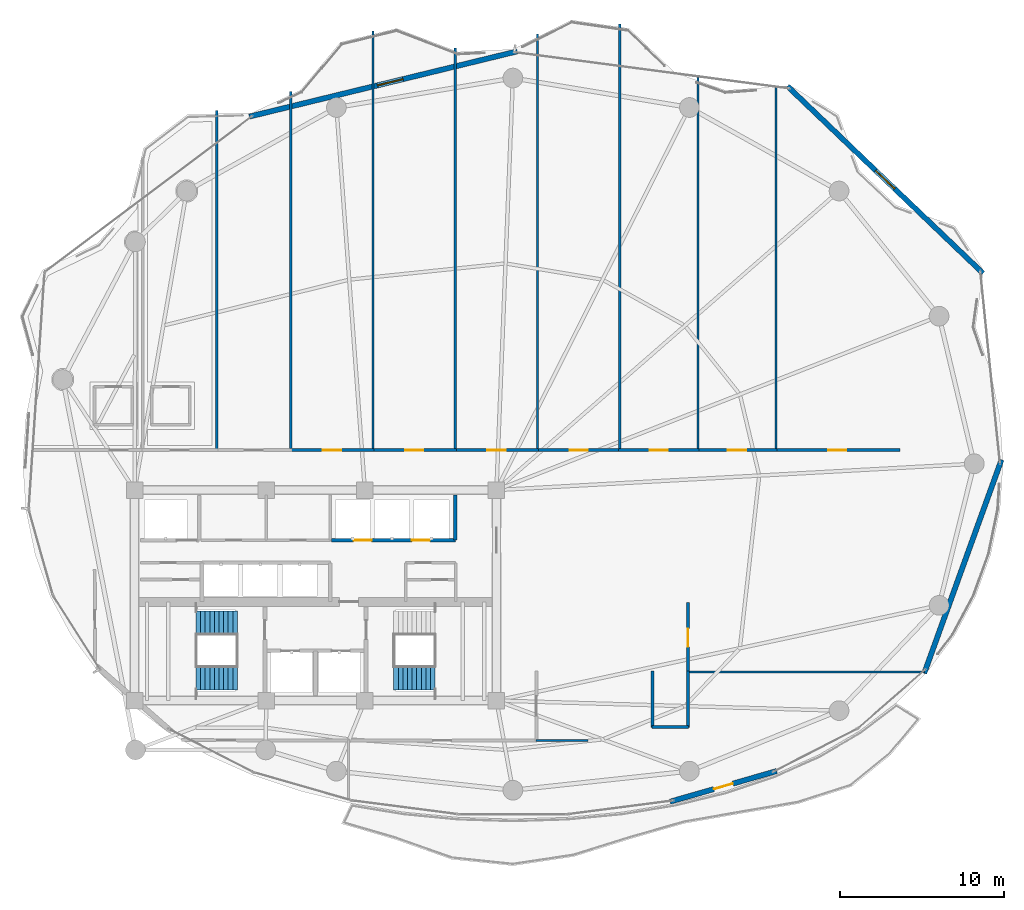
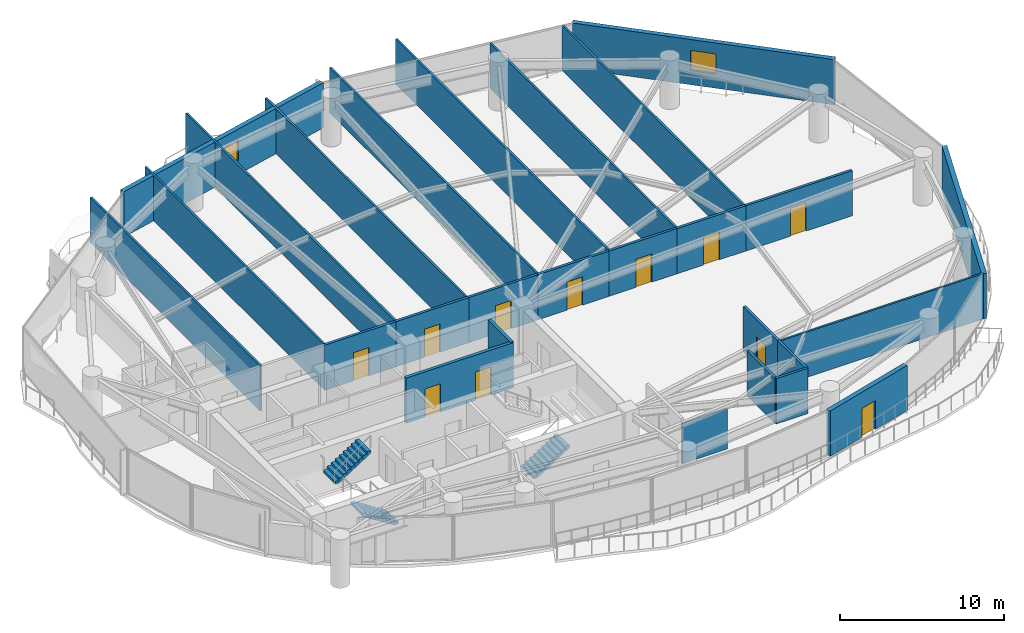
# One storey, part 26 of 30: 27 walls, 11 doors, 3 stair flights, 2 windows, 13 openings, 2 elements without a shape of their own.
"""IFC4 building model written with IfcOpenShell, lengths in metres."""

from ifc_helpers import new_model, si_unit, direction, frame, frame_2d, origin, place, context, subcontext, project, spatial, polyline, rectangle, outline, extrude, material, layer, layer_set, type_object, element, fill, aggregate, save


model = new_model("IFC4")

# Units and contexts
model_context = context("Model", 3, precision=1e-05, world=origin(), true_north=direction((0.0, 1.0)))
body_context = subcontext(model_context, "Body", "Model", "MODEL_VIEW")
ifc_project = project(units=[si_unit("LENGTHUNIT", "METRE"), si_unit("AREAUNIT", "SQUARE_METRE"), si_unit("VOLUMEUNIT", "CUBIC_METRE"), si_unit("PLANEANGLEUNIT", "RADIAN"), si_unit("MASSUNIT", "GRAM", prefix="KILO")], contexts=[model_context])

# Site, building, storey
site_placement = place(None, origin())
site = spatial("IfcSite", under=ifc_project, at=site_placement, CompositionType="ELEMENT")
building_placement = place(site_placement, origin())
building = spatial("IfcBuilding", under=site, at=building_placement, Name="Kazevale Care Tower and Concert Hall", CompositionType="ELEMENT")
storey_placement = place(building_placement, frame((0.0, 0.0, 131.39990234375)))
storey = spatial("IfcBuildingStorey", under=building, at=storey_placement, Name="L34", CompositionType="ELEMENT", Elevation=131.39990234375)

# Walls
ifc_material_1 = material(Name="Acoustic Gypsum on Steel Stud", Category="steel")
ifc_layer_1 = layer(ifc_material_1, 0.139892578125)
ifc_layer_set_1 = layer_set([ifc_layer_1], Name="Acoustic Gypsum on Steel Stud")
wall_type_1 = type_object("IfcWallType", Name="Acoustic Care & Suite Partition 140", PredefinedType="PARTITIONING", material=ifc_layer_set_1)
wall_1_placement = place(storey_placement, frame((27.0, 59.47705078125, 0.0), z_axis=(0.0, 0.0, 1.0), x_axis=(0.0, -1.0, 0.0)))
element("IfcWall", 1, at=wall_1_placement, inside=storey, type_object=wall_type_1, Name="wall:L34:auto_020", PredefinedType="PARTITIONING", context=body_context, shape_type="SweptSolid", body=[
    extrude(rectangle(XDim=20.68212890625, YDim=0.139892578125, at=frame_2d((10.341064453125, 0.0))), origin(), (0.0, 0.0, 1.0), 3.360107421875),
])
wall_2_placement = place(storey_placement, frame((31.5, 60.618896484375, 0.0), z_axis=(0.0, 0.0, 1.0), x_axis=(0.0, -1.0, 0.0)))
element("IfcWall", 2, at=wall_2_placement, inside=storey, type_object=wall_type_1, Name="wall:L34:auto_021", PredefinedType="PARTITIONING", context=body_context, shape_type="SweptSolid", body=[
    extrude(rectangle(XDim=21.823974609375, YDim=0.139892578125, at=frame_2d((10.912109375, 0.0))), origin(), (0.0, 0.0, 1.0), 3.360107421875),
])
wall_3_placement = place(storey_placement, frame((36.5, 64.31005859375, 0.0), z_axis=(0.0, 0.0, 1.0), x_axis=(0.0, -1.0, 0.0)))
element("IfcWall", 3, at=wall_3_placement, inside=storey, type_object=wall_type_1, Name="wall:L34:auto_022", PredefinedType="PARTITIONING", context=body_context, shape_type="SweptSolid", body=[
    extrude(rectangle(XDim=25.51513671875, YDim=0.139892578125, at=frame_2d((12.757568359375, 0.0))), origin(), (0.0, 0.0, 1.0), 3.360107421875),
])
wall_4_placement = place(storey_placement, frame((41.5, 63.291015625, 0.0), z_axis=(0.0, 0.0, 1.0), x_axis=(0.0, -1.0, 0.0)))
element("IfcWall", 4, at=wall_4_placement, inside=storey, type_object=wall_type_1, Name="wall:L34:auto_023", PredefinedType="PARTITIONING", context=body_context, shape_type="SweptSolid", body=[
    extrude(rectangle(XDim=24.49609375, YDim=0.139892578125, at=frame_2d((12.248046875, 0.0))), origin(), (0.0, 0.0, 1.0), 3.360107421875),
])
wall_5_placement = place(storey_placement, frame((46.5, 64.12890625, 0.0), z_axis=(0.0, 0.0, 1.0), x_axis=(0.0, -1.0, 0.0)))
element("IfcWall", 5, at=wall_5_placement, inside=storey, type_object=wall_type_1, Name="wall:L34:auto_024", PredefinedType="PARTITIONING", context=body_context, shape_type="SweptSolid", body=[
    extrude(rectangle(XDim=25.333984375, YDim=0.139892578125, at=frame_2d((12.6669921875, 0.0))), origin(), (0.0, 0.0, 1.0), 3.360107421875),
])
wall_6_placement = place(storey_placement, frame((51.5, 64.75, 0.0), z_axis=(0.0, 0.0, 1.0), x_axis=(0.0, -1.0, 0.0)))
element("IfcWall", 6, at=wall_6_placement, inside=storey, type_object=wall_type_1, Name="wall:L34:auto_025", PredefinedType="PARTITIONING", context=body_context, shape_type="SweptSolid", body=[
    extrude(rectangle(XDim=25.955078125, YDim=0.139892578125, at=frame_2d((12.9775390625, 0.0))), origin(), (0.0, 0.0, 1.0), 3.360107421875),
])
wall_7_placement = place(storey_placement, frame((56.25, 61.48193359375, 0.0), z_axis=(0.0, 0.0, 1.0), x_axis=(0.0, -1.0, 0.0)))
element("IfcWall", 7, at=wall_7_placement, inside=storey, type_object=wall_type_1, Name="wall:L34:auto_026", PredefinedType="PARTITIONING", context=body_context, shape_type="SweptSolid", body=[
    extrude(rectangle(XDim=22.68701171875, YDim=0.139892578125, at=frame_2d((11.343505859375, 0.0))), origin(), (0.0, 0.0, 1.0), 3.360107421875),
])
wall_8_placement = place(storey_placement, frame((61.0, 60.906982421875, 0.0), z_axis=(0.0, 0.0, 1.0), x_axis=(0.0, -1.0, 0.0)))
element("IfcWall", 8, at=wall_8_placement, inside=storey, type_object=wall_type_1, Name="wall:L34:auto_027", PredefinedType="PARTITIONING", context=body_context, shape_type="SweptSolid", body=[
    extrude(rectangle(XDim=22.112060546875, YDim=0.139892578125, at=frame_2d((11.05615234375, 0.0))), origin(), (0.0, 0.0, 1.0), 3.360107421875),
])
wall_9_placement = place(storey_placement, frame((55.6201171875, 25.340087890625, 0.0), z_axis=(0.0, 0.0, 1.0), x_axis=(1.0, 0.0, 0.0)))
element("IfcWall", 9, at=wall_9_placement, inside=storey, type_object=wall_type_1, Name="wall:L34:auto_028", PredefinedType="PARTITIONING", context=body_context, shape_type="SweptSolid", body=[
    extrude(rectangle(XDim=14.407470703125, YDim=0.139892578125, at=frame_2d((7.20361328125, 0.0))), origin(), (0.0, 0.0, 1.0), 3.360107421875),
])
wall_10_placement = place(storey_placement, frame((49.56494140625, 21.175048828125, 0.0), z_axis=(0.0, 0.0, 1.0), x_axis=(-1.0, 0.0, 0.0)))
element("IfcWall", 10, at=wall_10_placement, inside=storey, type_object=wall_type_1, Name="wall:L34:auto_029", PredefinedType="PARTITIONING", context=body_context, shape_type="SweptSolid", body=[
    extrude(rectangle(XDim=3.169921875, YDim=0.139892578125, at=frame_2d((1.5849609375, 0.0))), origin(), (0.0, 0.0, 1.0), 2.99609375),
])

# Wall, openings, doors
ifc_material_2 = material(Name="Concrete C40", Category="concrete")
ifc_layer_2 = layer(ifc_material_2, 0.219970703125)
ifc_layer_set_2 = layer_set([ifc_layer_2], Name="Concrete C40")
wall_type_2 = type_object("IfcWallType", Name="Elevator Hoistway Shaft Wall 220", PredefinedType="SOLIDWALL", material=ifc_layer_set_2)
wall_11_placement = place(storey_placement, frame((33.97998046875, 33.35009765625, 0.0), z_axis=(0.0, 0.0, 1.0), x_axis=(1.0, 0.0, 0.0)))
wall_11 = element("IfcWall", 11, at=wall_11_placement, inside=storey, type_object=wall_type_2, Name="wall:L34:c_pm_s", PredefinedType="SOLIDWALL", context=body_context, shape_type="SweptSolid", body=[
    extrude(rectangle(XDim=7.5400390625, YDim=0.219970703125, at=frame_2d((3.77001953125, 0.0))), origin(), (0.0, 0.0, 1.0), 3.360107421875),
])
opening_1_placement = place(wall_11_placement, frame((1.3349609375, 0.0, 0.0)))
opening_1 = element("IfcOpeningElement", 12, at=opening_1_placement, cuts=wall_11, Name="Opening LD-PAX", PredefinedType="OPENING", context=body_context, shape_type="SweptSolid", body=[
    extrude(rectangle(XDim=1.10009765625, YDim=2.10009765625, at=frame_2d((0.550048828125, 1.050048828125))), frame((0.0, 0.119873046875, 0.0), z_axis=(0.0, -1.0, 0.0), x_axis=(1.0, 0.0, 0.0)), (0.0, 0.0, 1.0), 0.239990234375),
])
opening_2_placement = place(wall_11_placement, frame((4.87890625, 0.0, 0.0)))
opening_2 = element("IfcOpeningElement", 13, at=opening_2_placement, cuts=wall_11, Name="Opening LD-PAX", PredefinedType="OPENING", context=body_context, shape_type="SweptSolid", body=[
    extrude(rectangle(XDim=1.10009765625, YDim=2.10009765625, at=frame_2d((0.550048828125, 1.050048828125))), frame((0.0, 0.119873046875, 0.0), z_axis=(0.0, -1.0, 0.0), x_axis=(1.0, 0.0, 0.0)), (0.0, 0.0, 1.0), 0.239990234375),
])
ifc_material_3 = material(Name="Stainless Steel 316", Category="steel")
door_type_1 = type_object("IfcDoorType", Name="Passenger Lift Sliding Landing Door 1100x2100", OperationType="NOTDEFINED", PredefinedType="DOOR", material=ifc_material_3)
door_1_placement = place(opening_1_placement, origin())
door_1 = element("IfcDoor", 14, at=door_1_placement, inside=storey, type_object=door_type_1, Name="door:L34:ld_pm1", OperationType="SLIDING_TO_LEFT", OverallHeight=2.10009765625, OverallWidth=1.10009765625, PredefinedType="DOOR", context=body_context, shape_type="SweptSolid", body=[
    extrude(rectangle(XDim=1.10009765625, YDim=2.10009765625, at=frame_2d((0.550048828125, 1.050048828125))), frame((0.0, 0.02490234375, 0.0), z_axis=(0.0, -1.0, 0.0), x_axis=(1.0, 0.0, 0.0)), (0.0, 0.0, 1.0), 0.050048828125),
])
fill(opening_1, door_1)
door_2_placement = place(opening_2_placement, origin())
door_2 = element("IfcDoor", 15, at=door_2_placement, inside=storey, type_object=door_type_1, Name="door:L34:ld_pm2", OperationType="SLIDING_TO_RIGHT", OverallHeight=2.10009765625, OverallWidth=1.10009765625, PredefinedType="DOOR", context=body_context, shape_type="SweptSolid", body=[
    extrude(rectangle(XDim=1.10009765625, YDim=2.10009765625, at=frame_2d((0.550048828125, 1.050048828125))), frame((0.0, 0.02490234375, 0.0), z_axis=(0.0, -1.0, 0.0), x_axis=(1.0, 0.0, 0.0)), (0.0, 0.0, 1.0), 0.050048828125),
])
fill(opening_2, door_2)

# Wall
wall_12_placement = place(storey_placement, frame((41.5, 33.35009765625, 0.0), z_axis=(0.0, 0.0, 1.0), x_axis=(0.0, 1.0, 0.0)))
element("IfcWall", 16, at=wall_12_placement, inside=storey, type_object=wall_type_2, Name="wall:L34:c_pm_e", PredefinedType="SOLIDWALL", context=body_context, shape_type="SweptSolid", body=[
    extrude(rectangle(XDim=2.75, YDim=0.219970703125, at=frame_2d((1.375, 0.0))), origin(), (0.0, 0.0, 1.0), 3.360107421875),
])

# Wall, opening, door
ifc_material_4 = material(Name="Concrete C40 and Acoustic Gypsum", Category="concrete")
ifc_layer_3 = layer(ifc_material_4, 0.179931640625)
ifc_layer_set_3 = layer_set([ifc_layer_3], Name="Concrete C40 and Acoustic Gypsum")
wall_type_3 = type_object("IfcWallType", Name="Fire-Rated Corridor & Party Wall 180", PredefinedType="PARTITIONING", material=ifc_layer_set_3)
wall_13_placement = place(storey_placement, frame((31.43505859375, 38.824951171875, 0.0), z_axis=(0.0, 0.0, 1.0), x_axis=(1.0, 0.0, 0.0)))
wall_13 = element("IfcWall", 17, at=wall_13_placement, inside=storey, type_object=wall_type_3, Name="wall:L34:auto_004", PredefinedType="PARTITIONING", context=body_context, shape_type="SweptSolid", body=[
    extrude(rectangle(XDim=5.1298828125, YDim=0.179931640625, at=frame_2d((2.56494140625, 0.0))), origin(), (0.0, 0.0, 1.0), 3.360107421875),
])
opening_3_placement = place(wall_13_placement, frame((2.014892578125, 0.0, 0.0)))
opening_3 = element("IfcOpeningElement", 18, at=opening_3_placement, cuts=wall_13, Name="Opening ID-1100", PredefinedType="OPENING", context=body_context, shape_type="SweptSolid", body=[
    extrude(rectangle(XDim=1.10009765625, YDim=2.10009765625, at=frame_2d((0.550048828125, 1.050048828125))), frame((0.0, 0.099853515625, 0.0), z_axis=(0.0, -1.0, 0.0), x_axis=(1.0, 0.0, 0.0)), (0.0, 0.0, 1.0), 0.199951171875),
])
ifc_material_5 = material(Name="Oak Timber Fire Leaf", Category="wood")
door_type_2 = type_object("IfcDoorType", Name="Care Bedroom Accessible Door 1100x2100", OperationType="NOTDEFINED", PredefinedType="DOOR", material=ifc_material_5)
door_3_placement = place(opening_3_placement, origin())
door_3 = element("IfcDoor", 19, at=door_3_placement, inside=storey, type_object=door_type_2, Name="door:L34:ad_004", OperationType="SINGLE_SWING_LEFT", OverallHeight=2.10009765625, OverallWidth=1.10009765625, PredefinedType="DOOR", context=body_context, shape_type="SweptSolid", body=[
    extrude(rectangle(XDim=1.10009765625, YDim=2.10009765625, at=frame_2d((0.550048828125, 1.050048828125))), frame((0.0, 0.02490234375, 0.0), z_axis=(0.0, -1.0, 0.0), x_axis=(1.0, 0.0, 0.0)), (0.0, 0.0, 1.0), 0.050048828125),
])
fill(opening_3, door_3)

wall_14_placement = place(storey_placement, frame((36.43505859375, 38.824951171875, 0.0), z_axis=(0.0, 0.0, 1.0), x_axis=(1.0, 0.0, 0.0)))
wall_14 = element("IfcWall", 20, at=wall_14_placement, inside=storey, type_object=wall_type_3, Name="wall:L34:auto_005", PredefinedType="PARTITIONING", context=body_context, shape_type="SweptSolid", body=[
    extrude(rectangle(XDim=5.1298828125, YDim=0.179931640625, at=frame_2d((2.56494140625, 0.0))), origin(), (0.0, 0.0, 1.0), 3.360107421875),
])
opening_4_placement = place(wall_14_placement, frame((2.014892578125, 0.0, 0.0)))
opening_4 = element("IfcOpeningElement", 21, at=opening_4_placement, cuts=wall_14, Name="Opening ID-1100", PredefinedType="OPENING", context=body_context, shape_type="SweptSolid", body=[
    extrude(rectangle(XDim=1.10009765625, YDim=2.10009765625, at=frame_2d((0.550048828125, 1.050048828125))), frame((0.0, 0.099853515625, 0.0), z_axis=(0.0, -1.0, 0.0), x_axis=(1.0, 0.0, 0.0)), (0.0, 0.0, 1.0), 0.199951171875),
])
door_4_placement = place(opening_4_placement, origin())
door_4 = element("IfcDoor", 22, at=door_4_placement, inside=storey, type_object=door_type_2, Name="door:L34:ad_005", OperationType="SINGLE_SWING_LEFT", OverallHeight=2.10009765625, OverallWidth=1.10009765625, PredefinedType="DOOR", context=body_context, shape_type="SweptSolid", body=[
    extrude(rectangle(XDim=1.10009765625, YDim=2.10009765625, at=frame_2d((0.550048828125, 1.050048828125))), frame((0.0, 0.02490234375, 0.0), z_axis=(0.0, -1.0, 0.0), x_axis=(1.0, 0.0, 0.0)), (0.0, 0.0, 1.0), 0.050048828125),
])
fill(opening_4, door_4)

wall_15_placement = place(storey_placement, frame((41.43505859375, 38.824951171875, 0.0), z_axis=(0.0, 0.0, 1.0), x_axis=(1.0, 0.0, 0.0)))
wall_15 = element("IfcWall", 23, at=wall_15_placement, inside=storey, type_object=wall_type_3, Name="wall:L34:auto_006", PredefinedType="PARTITIONING", context=body_context, shape_type="SweptSolid", body=[
    extrude(rectangle(XDim=5.1298828125, YDim=0.179931640625, at=frame_2d((2.56494140625, 0.0))), origin(), (0.0, 0.0, 1.0), 3.360107421875),
])
opening_5_placement = place(wall_15_placement, frame((2.014892578125, 0.0, 0.0)))
opening_5 = element("IfcOpeningElement", 24, at=opening_5_placement, cuts=wall_15, Name="Opening ID-1100", PredefinedType="OPENING", context=body_context, shape_type="SweptSolid", body=[
    extrude(rectangle(XDim=1.10009765625, YDim=2.10009765625, at=frame_2d((0.550048828125, 1.050048828125))), frame((0.0, 0.099853515625, 0.0), z_axis=(0.0, -1.0, 0.0), x_axis=(1.0, 0.0, 0.0)), (0.0, 0.0, 1.0), 0.199951171875),
])
door_5_placement = place(opening_5_placement, origin())
door_5 = element("IfcDoor", 25, at=door_5_placement, inside=storey, type_object=door_type_2, Name="door:L34:ad_006", OperationType="SINGLE_SWING_LEFT", OverallHeight=2.10009765625, OverallWidth=1.10009765625, PredefinedType="DOOR", context=body_context, shape_type="SweptSolid", body=[
    extrude(rectangle(XDim=1.10009765625, YDim=2.10009765625, at=frame_2d((0.550048828125, 1.050048828125))), frame((0.0, 0.02490234375, 0.0), z_axis=(0.0, -1.0, 0.0), x_axis=(1.0, 0.0, 0.0)), (0.0, 0.0, 1.0), 0.050048828125),
])
fill(opening_5, door_5)

wall_16_placement = place(storey_placement, frame((46.43505859375, 38.824951171875, 0.0), z_axis=(0.0, 0.0, 1.0), x_axis=(1.0, 0.0, 0.0)))
wall_16 = element("IfcWall", 26, at=wall_16_placement, inside=storey, type_object=wall_type_3, Name="wall:L34:auto_007", PredefinedType="PARTITIONING", context=body_context, shape_type="SweptSolid", body=[
    extrude(rectangle(XDim=5.1298828125, YDim=0.179931640625, at=frame_2d((2.56494140625, 0.0))), origin(), (0.0, 0.0, 1.0), 3.360107421875),
])
opening_6_placement = place(wall_16_placement, frame((2.014892578125, 0.0, 0.0)))
opening_6 = element("IfcOpeningElement", 27, at=opening_6_placement, cuts=wall_16, Name="Opening ID-1100", PredefinedType="OPENING", context=body_context, shape_type="SweptSolid", body=[
    extrude(rectangle(XDim=1.10009765625, YDim=2.10009765625, at=frame_2d((0.550048828125, 1.050048828125))), frame((0.0, 0.099853515625, 0.0), z_axis=(0.0, -1.0, 0.0), x_axis=(1.0, 0.0, 0.0)), (0.0, 0.0, 1.0), 0.199951171875),
])
door_6_placement = place(opening_6_placement, origin())
door_6 = element("IfcDoor", 28, at=door_6_placement, inside=storey, type_object=door_type_2, Name="door:L34:ad_007", OperationType="SINGLE_SWING_LEFT", OverallHeight=2.10009765625, OverallWidth=1.10009765625, PredefinedType="DOOR", context=body_context, shape_type="SweptSolid", body=[
    extrude(rectangle(XDim=1.10009765625, YDim=2.10009765625, at=frame_2d((0.550048828125, 1.050048828125))), frame((0.0, 0.02490234375, 0.0), z_axis=(0.0, -1.0, 0.0), x_axis=(1.0, 0.0, 0.0)), (0.0, 0.0, 1.0), 0.050048828125),
])
fill(opening_6, door_6)

wall_17_placement = place(storey_placement, frame((51.43505859375, 38.824951171875, 0.0), z_axis=(0.0, 0.0, 1.0), x_axis=(1.0, 0.0, 0.0)))
wall_17 = element("IfcWall", 29, at=wall_17_placement, inside=storey, type_object=wall_type_3, Name="wall:L34:auto_008", PredefinedType="PARTITIONING", context=body_context, shape_type="SweptSolid", body=[
    extrude(rectangle(XDim=4.8798828125, YDim=0.179931640625, at=frame_2d((2.43994140625, 0.0))), origin(), (0.0, 0.0, 1.0), 3.360107421875),
])
opening_7_placement = place(wall_17_placement, frame((1.889892578125, 0.0, 0.0)))
opening_7 = element("IfcOpeningElement", 30, at=opening_7_placement, cuts=wall_17, Name="Opening ID-1100", PredefinedType="OPENING", context=body_context, shape_type="SweptSolid", body=[
    extrude(rectangle(XDim=1.10009765625, YDim=2.10009765625, at=frame_2d((0.550048828125, 1.050048828125))), frame((0.0, 0.099853515625, 0.0), z_axis=(0.0, -1.0, 0.0), x_axis=(1.0, 0.0, 0.0)), (0.0, 0.0, 1.0), 0.199951171875),
])
door_7_placement = place(opening_7_placement, origin())
door_7 = element("IfcDoor", 31, at=door_7_placement, inside=storey, type_object=door_type_2, Name="door:L34:ad_008", OperationType="SINGLE_SWING_LEFT", OverallHeight=2.10009765625, OverallWidth=1.10009765625, PredefinedType="DOOR", context=body_context, shape_type="SweptSolid", body=[
    extrude(rectangle(XDim=1.10009765625, YDim=2.10009765625, at=frame_2d((0.550048828125, 1.050048828125))), frame((0.0, 0.02490234375, 0.0), z_axis=(0.0, -1.0, 0.0), x_axis=(1.0, 0.0, 0.0)), (0.0, 0.0, 1.0), 0.050048828125),
])
fill(opening_7, door_7)

wall_18_placement = place(storey_placement, frame((56.18505859375, 38.824951171875, 0.0), z_axis=(0.0, 0.0, 1.0), x_axis=(1.0, 0.0, 0.0)))
wall_18 = element("IfcWall", 32, at=wall_18_placement, inside=storey, type_object=wall_type_3, Name="wall:L34:auto_009", PredefinedType="PARTITIONING", context=body_context, shape_type="SweptSolid", body=[
    extrude(rectangle(XDim=4.8798828125, YDim=0.179931640625, at=frame_2d((2.43994140625, 0.0))), origin(), (0.0, 0.0, 1.0), 3.360107421875),
])
opening_8_placement = place(wall_18_placement, frame((1.889892578125, 0.0, 0.0)))
opening_8 = element("IfcOpeningElement", 33, at=opening_8_placement, cuts=wall_18, Name="Opening ID-1100", PredefinedType="OPENING", context=body_context, shape_type="SweptSolid", body=[
    extrude(rectangle(XDim=1.10009765625, YDim=2.10009765625, at=frame_2d((0.550048828125, 1.050048828125))), frame((0.0, 0.099853515625, 0.0), z_axis=(0.0, -1.0, 0.0), x_axis=(1.0, 0.0, 0.0)), (0.0, 0.0, 1.0), 0.199951171875),
])
door_8_placement = place(opening_8_placement, origin())
door_8 = element("IfcDoor", 34, at=door_8_placement, inside=storey, type_object=door_type_2, Name="door:L34:ad_009", OperationType="SINGLE_SWING_LEFT", OverallHeight=2.10009765625, OverallWidth=1.10009765625, PredefinedType="DOOR", context=body_context, shape_type="SweptSolid", body=[
    extrude(rectangle(XDim=1.10009765625, YDim=2.10009765625, at=frame_2d((0.550048828125, 1.050048828125))), frame((0.0, 0.02490234375, 0.0), z_axis=(0.0, -1.0, 0.0), x_axis=(1.0, 0.0, 0.0)), (0.0, 0.0, 1.0), 0.050048828125),
])
fill(opening_8, door_8)

wall_19_placement = place(storey_placement, frame((60.93505859375, 38.824951171875, 0.0), z_axis=(0.0, 0.0, 1.0), x_axis=(1.0, 0.0, 0.0)))
wall_19 = element("IfcWall", 35, at=wall_19_placement, inside=storey, type_object=wall_type_3, Name="wall:L34:auto_010", PredefinedType="PARTITIONING", context=body_context, shape_type="SweptSolid", body=[
    extrude(rectangle(XDim=7.594970703125, YDim=0.179931640625, at=frame_2d((3.79736328125, 0.0))), origin(), (0.0, 0.0, 1.0), 3.360107421875),
])
opening_9_placement = place(wall_19_placement, frame((3.2470703125, 0.0, 0.0)))
opening_9 = element("IfcOpeningElement", 36, at=opening_9_placement, cuts=wall_19, Name="Opening ID-1100", PredefinedType="OPENING", context=body_context, shape_type="SweptSolid", body=[
    extrude(rectangle(XDim=1.10009765625, YDim=2.10009765625, at=frame_2d((0.550048828125, 1.050048828125))), frame((0.0, 0.099853515625, 0.0), z_axis=(0.0, -1.0, 0.0), x_axis=(1.0, 0.0, 0.0)), (0.0, 0.0, 1.0), 0.199951171875),
])
door_9_placement = place(opening_9_placement, origin())
door_9 = element("IfcDoor", 37, at=door_9_placement, inside=storey, type_object=door_type_2, Name="door:L34:ad_010", OperationType="SINGLE_SWING_LEFT", OverallHeight=2.10009765625, OverallWidth=1.10009765625, PredefinedType="DOOR", context=body_context, shape_type="SweptSolid", body=[
    extrude(rectangle(XDim=1.10009765625, YDim=2.10009765625, at=frame_2d((0.550048828125, 1.050048828125))), frame((0.0, 0.02490234375, 0.0), z_axis=(0.0, -1.0, 0.0), x_axis=(1.0, 0.0, 0.0)), (0.0, 0.0, 1.0), 0.050048828125),
])
fill(opening_9, door_9)

# Walls
for number, where, z_axis, x_axis, name in (
    (38, (55.64990234375, 25.405029296875, 0.0), (0.0, 0.0, 1.0), (0.0, -1.0, 0.0), "wall:L34:auto_012"),
    (39, (53.5, 21.969970703125, 0.0), (0.0, 0.0, 1.0), (0.0, 1.0, 0.0), "wall:L34:auto_013"),
):
    element("IfcWall", number, at=place(storey_placement, frame(where, z_axis=z_axis, x_axis=x_axis)), inside=storey, type_object=wall_type_3, Name=name, PredefinedType="PARTITIONING", context=body_context, shape_type="SweptSolid", body=[
        extrude(rectangle(XDim=3.43505859375, YDim=0.179931640625, at=frame_2d((1.717529296875, 0.0))), origin(), (0.0, 0.0, 1.0), 3.360107421875),
    ])
wall_20_placement = place(storey_placement, frame((55.679931640625, 22.0, 0.0), z_axis=(0.0, 0.0, 1.0), x_axis=(-1.0, 0.0, 0.0)))
element("IfcWall", 40, at=wall_20_placement, inside=storey, type_object=wall_type_3, Name="wall:L34:auto_014", PredefinedType="PARTITIONING", context=body_context, shape_type="SweptSolid", body=[
    extrude(rectangle(XDim=2.2099609375, YDim=0.179931640625, at=frame_2d((1.10498046875, 0.0))), origin(), (0.0, 0.0, 1.0), 3.360107421875),
])

# Wall, opening, door
wall_21_placement = place(storey_placement, frame((55.64990234375, 29.56494140625, 0.0), z_axis=(0.0, 0.0, 1.0), x_axis=(0.0, -1.0, 0.0)))
wall_21 = element("IfcWall", 41, at=wall_21_placement, inside=storey, type_object=wall_type_3, Name="wall:L34:auto_015", PredefinedType="PARTITIONING", context=body_context, shape_type="SweptSolid", body=[
    extrude(rectangle(XDim=4.2900390625, YDim=0.179931640625, at=frame_2d((2.14501953125, 0.0))), origin(), (0.0, 0.0, 1.0), 3.360107421875),
])
opening_10_placement = place(wall_21_placement, frame((1.594970703125, 0.0, 0.0)))
opening_10 = element("IfcOpeningElement", 42, at=opening_10_placement, cuts=wall_21, Name="Opening ID-1100", PredefinedType="OPENING", context=body_context, shape_type="SweptSolid", body=[
    extrude(rectangle(XDim=1.10009765625, YDim=2.10009765625, at=frame_2d((0.550048828125, 1.050048828125))), frame((0.0, 0.099853515625, 0.0), z_axis=(0.0, -1.0, 0.0), x_axis=(1.0, 0.0, 0.0)), (0.0, 0.0, 1.0), 0.199951171875),
])
door_10_placement = place(opening_10_placement, origin())
door_10 = element("IfcDoor", 43, at=door_10_placement, inside=storey, type_object=door_type_2, Name="door:L34:ad_015", OperationType="SINGLE_SWING_LEFT", OverallHeight=2.10009765625, OverallWidth=1.10009765625, PredefinedType="DOOR", context=body_context, shape_type="SweptSolid", body=[
    extrude(rectangle(XDim=1.10009765625, YDim=2.10009765625, at=frame_2d((0.550048828125, 1.050048828125))), frame((0.0, 0.02490234375, 0.0), z_axis=(0.0, -1.0, 0.0), x_axis=(1.0, 0.0, 0.0)), (0.0, 0.0, 1.0), 0.050048828125),
])
fill(opening_10, door_10)

# Wall
ifc_material_6 = material(Name="Concrete C40 with Honed Limestone Cladding", Category="masonry")
ifc_layer_4 = layer(ifc_material_6, 0.320068359375)
ifc_layer_set_4 = layer_set([ifc_layer_4], Name="Concrete C40 with Honed Limestone Cladding")
wall_type_4 = type_object("IfcWallType", Name="Tower Honed Limestone Spandrel Wall 320", PredefinedType="STANDARD", material=ifc_layer_set_4)
wall_22_placement = place(storey_placement, frame((74.7080078125, 38.243896484375, 0.0), z_axis=(0.0, 0.0, 1.0), x_axis=(-0.340324669139, -0.94030799187, 0.0)))
element("IfcWall", 44, at=wall_22_placement, inside=storey, type_object=wall_type_4, Name="wall:cw:L34:f01", PredefinedType="STANDARD", context=body_context, shape_type="SweptSolid", body=[
    extrude(rectangle(XDim=13.810302734375, YDim=0.320068359375, at=frame_2d((6.9052734375, 0.0))), origin(), (0.0, 0.0, 1.0), 3.360107421875),
])

# Wall, opening, door
wall_23_placement = place(storey_placement, frame((61.0390625, 19.31689453125, 0.0), z_axis=(0.0, 0.0, 1.0), x_axis=(-0.96106509915, -0.276322049784, 0.0)))
wall_23 = element("IfcWall", 45, at=wall_23_placement, inside=storey, type_object=wall_type_4, Name="wall:L34:bal_host", PredefinedType="STANDARD", context=body_context, shape_type="SweptSolid", body=[
    extrude(rectangle(XDim=6.745849609375, YDim=0.320068359375, at=frame_2d((3.373046875, 0.0))), origin(), (0.0, 0.0, 1.0), 3.360107421875),
])
opening_11_placement = place(wall_23_placement, frame((2.77294921875, 0.0, 0.0)))
opening_11 = element("IfcOpeningElement", 46, at=opening_11_placement, cuts=wall_23, Name="Opening BD-1200", PredefinedType="OPENING", context=body_context, shape_type="SweptSolid", body=[
    extrude(rectangle(XDim=1.199951171875, YDim=2.14990234375, at=frame_2d((0.60009765625, 1.074951171875))), frame((0.0, 0.169921875, 0.0), z_axis=(0.0, -1.0, 0.0), x_axis=(1.0, 0.0, 0.0)), (0.0, 0.0, 1.0), 0.340087890625),
])
ifc_material_7 = material(Name="Aluminium 6063-T6 and Low-E Glass", Category="aluminium")
door_type_3 = type_object("IfcDoorType", Name="Sheltered Balcony Glazed Door 1200x2150", OperationType="NOTDEFINED", PredefinedType="DOOR", material=ifc_material_7)
door_11_placement = place(opening_11_placement, origin())
door_11 = element("IfcDoor", 47, at=door_11_placement, inside=storey, type_object=door_type_3, Name="door:L34:BD-1", OperationType="SINGLE_SWING_LEFT", OverallHeight=2.14990234375, OverallWidth=1.199951171875, PredefinedType="DOOR", context=body_context, shape_type="SweptSolid", body=[
    extrude(rectangle(XDim=1.199951171875, YDim=2.14990234375, at=frame_2d((0.60009765625, 1.074951171875))), frame((0.0, 0.02490234375, 0.0), z_axis=(0.0, -1.0, 0.0), x_axis=(1.0, 0.0, 0.0)), (0.0, 0.0, 1.0), 0.050048828125),
])
fill(opening_11, door_11)

# Wall, opening, window
wall_24_placement = place(storey_placement, frame((28.97412109375, 59.10693359375, 0.0), z_axis=(0.0, 0.0, 1.0), x_axis=(0.971593971582, 0.236654081699, 0.0)))
wall_24 = element("IfcWall", 48, at=wall_24_placement, inside=storey, type_object=wall_type_4, Name="wall:L34:cbox:15", PredefinedType="STANDARD", context=body_context, shape_type="SweptSolid", body=[
    extrude(rectangle(XDim=16.762939453125, YDim=0.320068359375, at=frame_2d((8.38134765625, 0.0))), origin(), (0.0, 0.0, 1.0), 3.360107421875),
])
opening_12_placement = place(wall_24_placement, frame((8.02099609375, 0.0, 1.050048828125)))
opening_12 = element("IfcOpeningElement", 49, at=opening_12_placement, cuts=wall_24, Name="Opening WIN-1", PredefinedType="OPENING", context=body_context, shape_type="SweptSolid", body=[
    extrude(rectangle(XDim=1.60009765625, YDim=1.5, at=frame_2d((0.800048828125, 0.75))), frame((0.0, 0.169921875, 0.0), z_axis=(0.0, -1.0, 0.0), x_axis=(1.0, 0.0, 0.0)), (0.0, 0.0, 1.0), 0.340087890625),
])
ifc_material_8 = material(Name="Low-E Laminated Glass", Category="glass")
window_type = type_object("IfcWindowType", Name="Convex Box Deep-Set Window 1600x1500", PartitioningType="DOUBLE_PANEL_VERTICAL", PredefinedType="WINDOW", material=ifc_material_8)
window_1_placement = place(opening_12_placement, origin())
window_1 = element("IfcWindow", 50, at=window_1_placement, inside=storey, type_object=window_type, Name="win:L34:cbox:15", OverallHeight=1.5, OverallWidth=1.60009765625, PartitioningType="SINGLE_PANEL", PredefinedType="WINDOW", context=body_context, shape_type="SweptSolid", body=[
    extrude(rectangle(XDim=1.60009765625, YDim=1.5, at=frame_2d((0.800048828125, 0.75))), frame((0.0, 0.030029296875, 0.0), z_axis=(0.0, -1.0, 0.0), x_axis=(1.0, 0.0, 0.0)), (0.0, 0.0, 1.0), 0.06005859375),
])
fill(opening_12, window_1)

wall_25_placement = place(storey_placement, frame((61.68896484375, 60.95703125, 0.0), z_axis=(0.0, 0.0, 1.0), x_axis=(0.722641212534, -0.691223319881, 0.0)))
wall_25 = element("IfcWall", 51, at=wall_25_placement, inside=storey, type_object=wall_type_4, Name="wall:L34:cbox:17", PredefinedType="STANDARD", context=body_context, shape_type="SweptSolid", body=[
    extrude(rectangle(XDim=16.45068359375, YDim=0.320068359375, at=frame_2d((8.225341796875, 0.0))), origin(), (0.0, 0.0, 1.0), 3.360107421875),
])
opening_13_placement = place(wall_25_placement, frame((7.425048828125, 0.0, 1.050048828125)))
opening_13 = element("IfcOpeningElement", 52, at=opening_13_placement, cuts=wall_25, Name="Opening WIN-1", PredefinedType="OPENING", context=body_context, shape_type="SweptSolid", body=[
    extrude(rectangle(XDim=1.60009765625, YDim=1.5, at=frame_2d((0.800048828125, 0.75))), frame((0.0, 0.169921875, 0.0), z_axis=(0.0, -1.0, 0.0), x_axis=(1.0, 0.0, 0.0)), (0.0, 0.0, 1.0), 0.340087890625),
])
window_2_placement = place(opening_13_placement, origin())
window_2 = element("IfcWindow", 53, at=window_2_placement, inside=storey, type_object=window_type, Name="win:L34:cbox:17", OverallHeight=1.5, OverallWidth=1.60009765625, PartitioningType="SINGLE_PANEL", PredefinedType="WINDOW", context=body_context, shape_type="SweptSolid", body=[
    extrude(rectangle(XDim=1.60009765625, YDim=1.5, at=frame_2d((0.800048828125, 0.75))), frame((0.0, 0.030029296875, 0.0), z_axis=(0.0, -1.0, 0.0), x_axis=(1.0, 0.0, 0.0)), (0.0, 0.0, 1.0), 0.06005859375),
])
fill(opening_13, window_2)

# Stair, stair flights
stair_type = type_object("IfcStairType", Name="Exit Stair Assembly ST1-Z2", PredefinedType="HALF_TURN_STAIR", material=ifc_material_2)
stair_1_placement = place(storey_placement, origin())
stair_1 = element("IfcStair", 54, at=stair_1_placement, inside=storey, type_object=stair_type, Name="stair:L34:ST1", PredefinedType="HALF_TURN_STAIR")
ifc_layer_5 = layer(ifc_material_2, 0.159912109375)
ifc_layer_set_5 = layer_set([ifc_layer_5], Name="Concrete C40")
stair_flight_type = type_object("IfcStairFlightType", Name="Exit Stair Flight ST1-Z2", PredefinedType="STRAIGHT", material=ifc_layer_set_5)
stair_flight_1_placement = place(storey_placement, frame((28.25, 24.97998046875, 0.0), z_axis=(0.0, 0.0, 1.0), x_axis=(-1.0, 0.0, 0.0)))
stair_flight_1 = element("IfcStairFlight", 55, at=stair_flight_1_placement, type_object=stair_flight_type, Name="ST1-Z2 flight 1", NumberOfRisers=10, NumberOfTreads=9, PredefinedType="STRAIGHT", RiserHeight=0.18, TreadLength=0.28, context=body_context, shape_type="SweptSolid", body=[
    extrude(outline(polyline([(0.0, 0.0), (0.0, 0.179931640625), (0.280029296875, 0.179931640625), (0.280029296875, 0.360107421875), (0.56005859375, 0.360107421875), (0.56005859375, 0.5400390625), (0.840087890625, 0.5400390625), (0.840087890625, 0.719970703125), (1.1201171875, 0.719970703125), (1.1201171875, 0.89990234375), (1.39990234375, 0.89990234375), (1.39990234375, 1.080078125), (1.679931640625, 1.080078125), (1.679931640625, 1.260009765625), (1.9599609375, 1.260009765625), (1.9599609375, 1.43994140625), (2.239990234375, 1.43994140625), (2.239990234375, 1.6201171875), (2.52001953125, 1.6201171875), (2.52001953125, 1.800048828125), (2.52001953125, 1.429931640625), (0.295654296875, 0.0), (0.0, 0.0)])), frame((0.0, 0.72998046875, 0.0), z_axis=(0.0, -1.0, 0.0), x_axis=(1.0, 0.0, 0.0)), (0.0, 0.0, 1.0), 1.4599609375),
])
stair_flight_2_placement = place(storey_placement, frame((25.72998046875, 28.320068359375, 1.800048828125), z_axis=(0.0, 0.0, 1.0), x_axis=(1.0, 0.0, 0.0)))
stair_flight_2 = element("IfcStairFlight", 56, at=stair_flight_2_placement, type_object=stair_flight_type, Name="ST1-Z2 flight 2", NumberOfRisers=10, NumberOfTreads=9, PredefinedType="STRAIGHT", RiserHeight=0.18, TreadLength=0.28, context=body_context, shape_type="SweptSolid", body=[
    extrude(outline(polyline([(0.0, 0.0), (0.0, 0.179931640625), (0.280029296875, 0.179931640625), (0.280029296875, 0.360107421875), (0.56005859375, 0.360107421875), (0.56005859375, 0.5400390625), (0.840087890625, 0.5400390625), (0.840087890625, 0.719970703125), (1.1201171875, 0.719970703125), (1.1201171875, 0.89990234375), (1.39990234375, 0.89990234375), (1.39990234375, 1.080078125), (1.679931640625, 1.080078125), (1.679931640625, 1.260009765625), (1.9599609375, 1.260009765625), (1.9599609375, 1.43994140625), (2.239990234375, 1.43994140625), (2.239990234375, 1.6201171875), (2.52001953125, 1.6201171875), (2.52001953125, 1.800048828125), (2.52001953125, 1.429931640625), (0.295654296875, 0.0), (0.0, 0.0)])), frame((0.0, 0.72998046875, 0.0), z_axis=(0.0, -1.0, 0.0), x_axis=(1.0, 0.0, 0.0)), (0.0, 0.0, 1.0), 1.4599609375),
])
aggregate(stair_1, [stair_flight_1, stair_flight_2])

# Stair, stair flight
stair_2_placement = place(storey_placement, origin())
stair_2 = element("IfcStair", 57, at=stair_2_placement, inside=storey, type_object=stair_type, Name="stair:L34:ST2", PredefinedType="HALF_TURN_STAIR")
stair_flight_3_placement = place(storey_placement, frame((37.75, 24.97998046875, 0.0), z_axis=(0.0, 0.0, 1.0), x_axis=(1.0, 0.0, 0.0)))
stair_flight_3 = element("IfcStairFlight", 58, at=stair_flight_3_placement, type_object=stair_flight_type, Name="ST1-Z2 flight 1", NumberOfRisers=10, NumberOfTreads=9, PredefinedType="STRAIGHT", RiserHeight=0.18, TreadLength=0.28, context=body_context, shape_type="SweptSolid", body=[
    extrude(outline(polyline([(0.0, 0.0), (0.0, 0.179931640625), (0.280029296875, 0.179931640625), (0.280029296875, 0.360107421875), (0.56005859375, 0.360107421875), (0.56005859375, 0.5400390625), (0.840087890625, 0.5400390625), (0.840087890625, 0.719970703125), (1.1201171875, 0.719970703125), (1.1201171875, 0.89990234375), (1.39990234375, 0.89990234375), (1.39990234375, 1.080078125), (1.679931640625, 1.080078125), (1.679931640625, 1.260009765625), (1.9599609375, 1.260009765625), (1.9599609375, 1.43994140625), (2.239990234375, 1.43994140625), (2.239990234375, 1.6201171875), (2.52001953125, 1.6201171875), (2.52001953125, 1.800048828125), (2.52001953125, 1.429931640625), (0.295654296875, 0.0), (0.0, 0.0)])), frame((0.0, 0.72998046875, 0.0), z_axis=(0.0, -1.0, 0.0), x_axis=(1.0, 0.0, 0.0)), (0.0, 0.0, 1.0), 1.4599609375),
])
aggregate(stair_2, [stair_flight_3])

save(model, "model.ifc")
